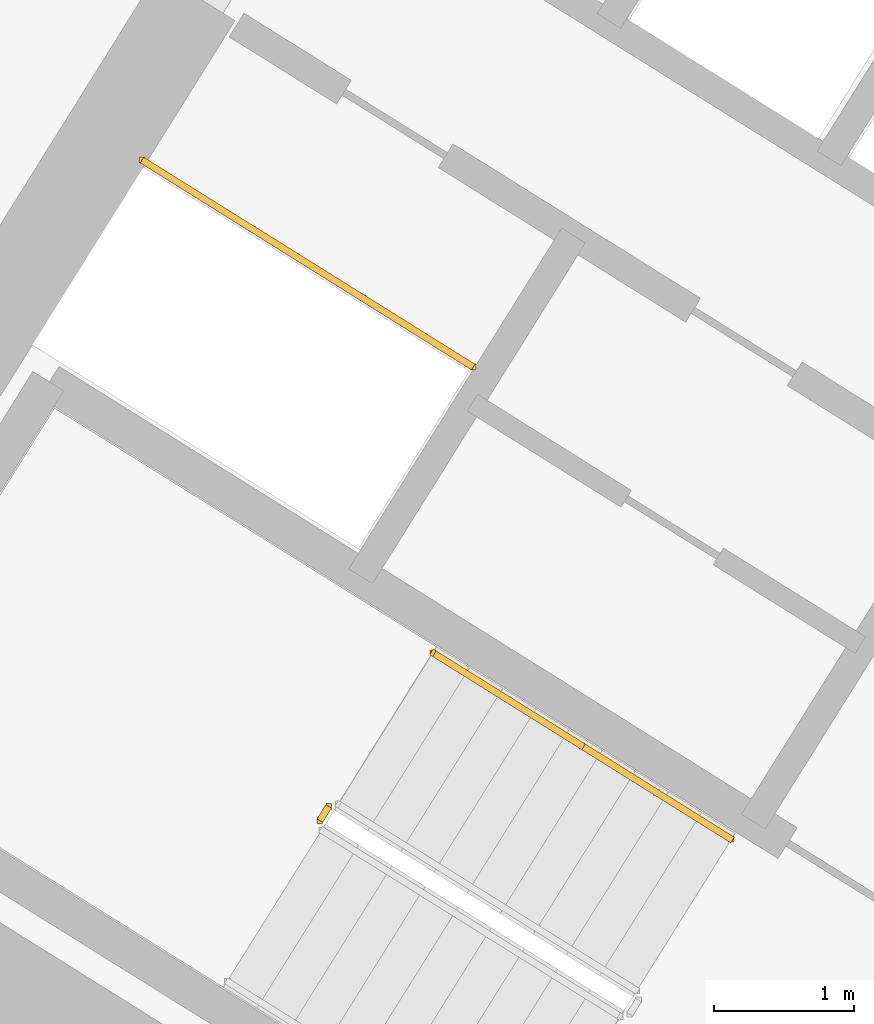
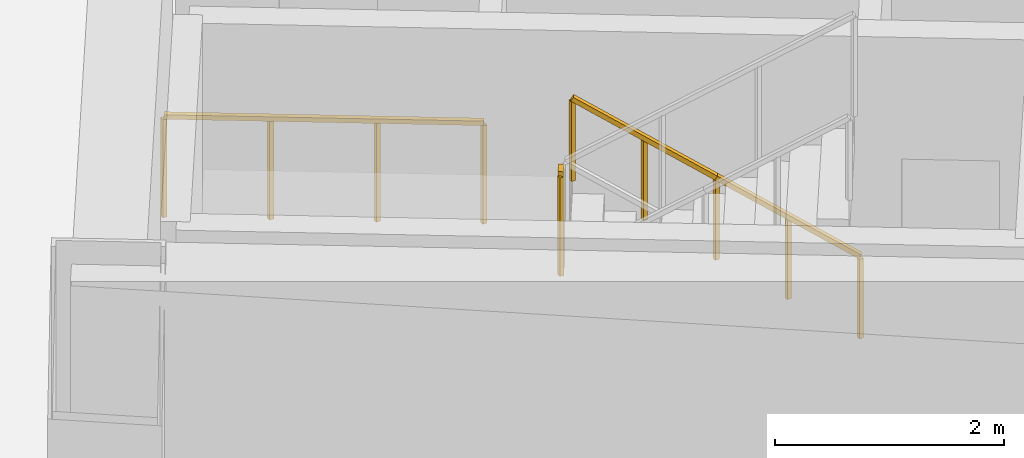
# One storey, part 24 of 28: 4 railings.
"""IFC4 building model written with IfcOpenShell, lengths in metres."""

from ifc_helpers import new_model, si_unit, direction, frame, origin, origin_2d, place, context, subcontext, project, spatial, rectangle, extrude, source, transform, mapped, material, type_object, element, save


model = new_model("IFC4")

# Units and contexts
model_context = context("Model", 3, precision=1e-05, world=origin(), true_north=direction((0.0, 1.0)))
body_context = subcontext(model_context, "Body", "Model", "MODEL_VIEW")
ifc_project = project(units=[si_unit("LENGTHUNIT", "METRE"), si_unit("AREAUNIT", "SQUARE_METRE"), si_unit("VOLUMEUNIT", "CUBIC_METRE"), si_unit("PLANEANGLEUNIT", "RADIAN"), si_unit("MASSUNIT", "GRAM", prefix="KILO")], contexts=[model_context])

# Site, building, storey
site_placement = place(None, origin())
site = spatial("IfcSite", under=ifc_project, at=site_placement, CompositionType="ELEMENT")
building_placement = place(site_placement, origin())
building = spatial("IfcBuilding", under=site, at=building_placement, Name="Tlacorven Tower", CompositionType="ELEMENT")
storey_placement = place(building_placement, frame((0.0, 0.0, 42.0)))
storey = spatial("IfcBuildingStorey", under=building, at=storey_placement, Name="L10", CompositionType="ELEMENT", Elevation=42.0)

# Railings
ifc_material = material(Name="Aluminium and painted steel balustrade", Category="steel")
railing_type_1 = type_object("IfcRailingType", Name="RL-GRD-1100", PredefinedType="GUARDRAIL", material=ifc_material)
shared_shape_1 = source(origin(), body_context, "Body", "SweptSolid", [
    extrude(rectangle(XDim=0.048095703125, YDim=0.048095703125, at=origin_2d()), frame((0.0, 0.0, 1.076171875), z_axis=(-0.848091358275, 0.529850024081, 0.0), x_axis=(-0.529850024081, -0.848091358275, 0.0)), (0.0, 0.0, 1.0), 2.800048828125),
    extrude(rectangle(XDim=0.0419921875, YDim=0.0419921875, at=origin_2d()), origin(), (0.0, 0.0, 1.0), 1.052001953125),
    extrude(rectangle(XDim=0.0419921875, YDim=0.0419921875, at=origin_2d()), frame((-0.79150390625, 0.49462890625, 0.0)), (0.0, 0.0, 1.0), 1.052001953125),
    extrude(rectangle(XDim=0.0419921875, YDim=0.0419921875, at=origin_2d()), frame((-1.583251953125, 0.989013671875, 0.0)), (0.0, 0.0, 1.0), 1.052001953125),
    extrude(rectangle(XDim=0.0419921875, YDim=0.0419921875, at=origin_2d()), frame((-2.374755859375, 1.483642578125, 0.0)), (0.0, 0.0, 1.0), 1.052001953125),
])
railing_1_placement = place(storey_placement, frame((27.9912109375, 22.32080078125, 0.0)))
element("IfcRailing", 1, at=railing_1_placement, inside=storey, type_object=railing_type_1, Name="L10 Electrical Riser W Shaft Guard 1", PredefinedType="GUARDRAIL", context=body_context, shape_type="MappedRepresentation", body=[
    mapped(shared_shape_1, transform((0.0, 0.0, 0.0), scale=1.0)),
])
shared_shape_2 = source(origin(), body_context, "Body", "SweptSolid", [
    extrude(rectangle(XDim=0.048095703125, YDim=0.048095703125, at=origin_2d()), frame((0.0, 0.0, 1.076171875), z_axis=(-0.530546985787, -0.847655529016, 0.0), x_axis=(0.847655529016, -0.530546985787, 0.0)), (0.0, 0.0, 1.0), 0.1201171875),
    extrude(rectangle(XDim=0.0419921875, YDim=0.0419921875, at=origin_2d()), origin(), (0.0, 0.0, 1.0), 1.052001953125),
    extrude(rectangle(XDim=0.0419921875, YDim=0.0419921875, at=origin_2d()), frame((-0.063720703125, -0.101806640625, 0.0)), (0.0, 0.0, 1.0), 1.052001953125),
])
railing_2_placement = place(storey_placement, frame((26.954833984375, 19.17138671875, 1.800048828125)))
element("IfcRailing", 2, at=railing_2_placement, inside=storey, type_object=railing_type_1, Name="L10 ST-W1 stair guard 2", PredefinedType="GUARDRAIL", context=body_context, shape_type="MappedRepresentation", body=[
    mapped(shared_shape_2, transform((0.0, 0.0, 0.0), scale=1.0)),
])
railing_type_2 = type_object("IfcRailingType", Name="RL-HND-0900", PredefinedType="HANDRAIL", material=ifc_material)
shared_shape_3 = source(origin(), body_context, "Body", "SweptSolid", [
    extrude(rectangle(XDim=0.048095703125, YDim=0.048095703125, at=origin_2d()), frame((0.0, 0.0, 0.8759765625), z_axis=(-0.713359751793, 0.4457479829, 0.540764828981), x_axis=(-0.529911857636, -0.848052724267, 0.0)), (0.0, 0.0, 1.0), 1.498046875),
    extrude(rectangle(XDim=0.0419921875, YDim=0.0419921875, at=origin_2d()), origin(), (0.0, 0.0, 1.0), 0.851806640625),
    extrude(rectangle(XDim=0.0419921875, YDim=0.0419921875, at=origin_2d()), frame((-0.5341796875, 0.333984375, 0.405029296875)), (0.0, 0.0, 1.0), 0.851806640625),
    extrude(rectangle(XDim=0.0419921875, YDim=0.0419921875, at=origin_2d()), frame((-1.068603515625, 0.667724609375, 0.81005859375)), (0.0, 0.0, 1.0), 0.851806640625),
])
for number, where, name in (
    (3, (29.839111328125, 18.937255859375, 0.179931640625), "L10 ST-W1 stair handrail 1"),
    (4, (28.7705078125, 19.60498046875, 0.989990234375), "L10 ST-W1 stair handrail 2"),
):
    element("IfcRailing", number, at=place(storey_placement, frame(where)), inside=storey, type_object=railing_type_2, Name=name, PredefinedType="HANDRAIL", context=body_context, shape_type="MappedRepresentation", body=[
        mapped(shared_shape_3, transform((0.0, 0.0, 0.0), scale=1.0)),
    ])

save(model, "model.ifc")
